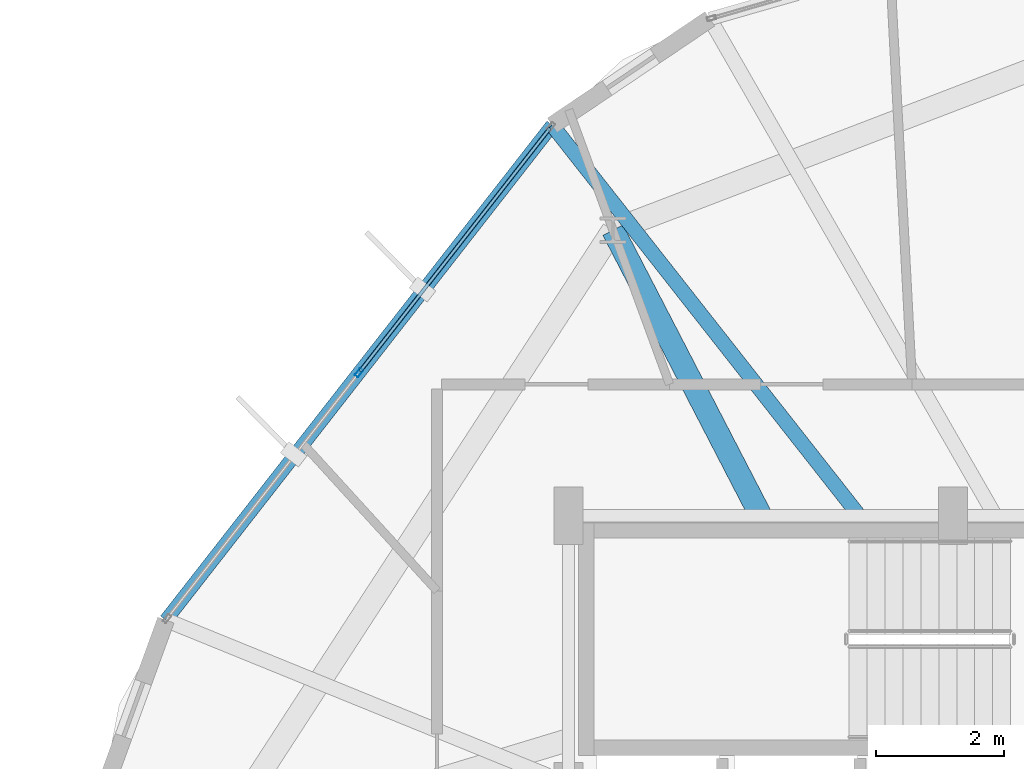
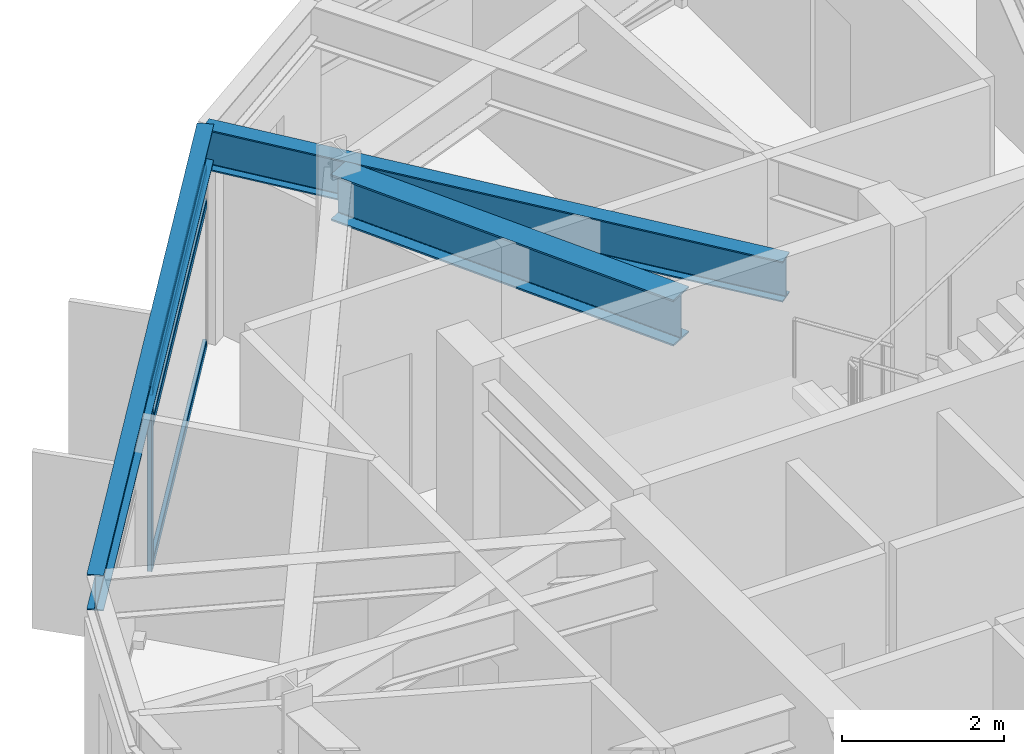
# One storey, part 16 of 30: 4 members, 3 beams, 1 element without a shape of its own.
"""IFC4 building model written with IfcOpenShell, lengths in metres."""

from ifc_helpers import new_model, si_unit, direction, frame, origin, origin_2d, place, context, subcontext, project, spatial, hollow_rectangle, i_section, extrude, material, layer, layer_set, material_profile, profile_set, type_object, element, aggregate, save


model = new_model("IFC4")

# Units and contexts
model_context = context("Model", 3, precision=1e-05, world=origin(), true_north=direction((0.0, 1.0)))
body_context = subcontext(model_context, "Body", "Model", "MODEL_VIEW")
ifc_project = project(units=[si_unit("LENGTHUNIT", "METRE"), si_unit("AREAUNIT", "SQUARE_METRE"), si_unit("VOLUMEUNIT", "CUBIC_METRE"), si_unit("PLANEANGLEUNIT", "RADIAN"), si_unit("MASSUNIT", "GRAM", prefix="KILO")], contexts=[model_context])

# Site, building, storey
site_placement = place(None, origin())
site = spatial("IfcSite", under=ifc_project, at=site_placement, CompositionType="ELEMENT")
building_placement = place(site_placement, origin())
building = spatial("IfcBuilding", under=site, at=building_placement, Name="Soratama Intermodal Tower", CompositionType="ELEMENT")
storey_placement = place(building_placement, frame((0.0, 0.0, 223.0)))
storey = spatial("IfcBuildingStorey", under=building, at=storey_placement, Name="L56", CompositionType="ELEMENT", Elevation=223.0)

# Beams
ifc_material_1 = material(Name="Structural steel ASTM A992 Grade 50", Category="steel")
ifc_material_profile_1 = material_profile(ifc_material_1, i_section(OverallWidth=0.35498046875, OverallDepth=0.695068359375, WebThickness=0.015380859375, FlangeThickness=0.02490234375, FilletRadius=0.01611328125, at=origin_2d()), Name="W27X146")
ifc_profile_set_1 = profile_set([ifc_material_profile_1], Name="Structural steel ASTM A992 Grade 50")
beam_type_1 = type_object("IfcBeamType", Name="BM-RING-W27X146", PredefinedType="BEAM", material=ifc_profile_set_1)
beam_1_placement = place(storey_placement, frame((35.60009765625, 35.0, 2.952392578125), z_axis=(-0.459552673174, 0.888150516849, 0.0), x_axis=(-0.888150516849, -0.459552673174, 0.0)))
element("IfcBeam", 1, at=beam_1_placement, inside=storey, type_object=beam_type_1, Name="BM-L56-RAD-04", PredefinedType="BEAM", context=body_context, shape_type="SweptSolid", body=[
    extrude(i_section(OverallWidth=0.35498046875, OverallDepth=0.695068359375, WebThickness=0.015380859375, FlangeThickness=0.02490234375, FilletRadius=0.01611328125, at=origin_2d()), origin(), (0.0, 0.0, 1.0), 5.01611328125),
])
ifc_material_2 = material(Name="Structural steel ASTM A992 Grade 50", Category="steel")
ifc_material_profile_2 = material_profile(ifc_material_2, i_section(OverallWidth=0.2099609375, OverallDepth=0.537109375, WebThickness=0.010986328125, FlangeThickness=0.017333984375, FilletRadius=0.012939453125, at=origin_2d()), Name="W21X68")
ifc_profile_set_2 = profile_set([ifc_material_profile_2], Name="Structural steel ASTM A992 Grade 50")
beam_type_2 = type_object("IfcBeamType", Name="BM-SPN-W21X68", PredefinedType="SPANDREL", material=ifc_profile_set_2)
beam_2_placement = place(storey_placement, frame((32.346923828125, 41.093017578125, 3.031494140625), z_axis=(-0.615393987001, -0.788219665298, 0.0), x_axis=(0.788219665298, -0.615393987001, 0.0)))
element("IfcBeam", 2, at=beam_2_placement, inside=storey, type_object=beam_type_2, Name="BS-L56-F03", PredefinedType="SPANDREL", context=body_context, shape_type="SweptSolid", body=[
    extrude(i_section(OverallWidth=0.2099609375, OverallDepth=0.537109375, WebThickness=0.010986328125, FlangeThickness=0.017333984375, FilletRadius=0.012939453125, at=origin_2d()), origin(), (0.0, 0.0, 1.0), 9.796630859375),
])
ifc_material_3 = material(Name="Structural steel ASTM A992 Grade 50", Category="steel")
ifc_material_profile_3 = material_profile(ifc_material_3, i_section(OverallWidth=0.22900390625, OverallDepth=0.612060546875, WebThickness=0.011962890625, FlangeThickness=0.01953125, FilletRadius=0.012939453125, at=origin_2d()), Name="W24X84")
ifc_profile_set_3 = profile_set([ifc_material_profile_3], Name="Structural steel ASTM A992 Grade 50")
beam_type_3 = type_object("IfcBeamType", Name="BM-TIE-W24X84", PredefinedType="BEAM", material=ifc_profile_set_3)
beam_3_placement = place(storey_placement, frame((37.113037109375, 35.031005859375, 2.993896484375), z_axis=(-0.618070408101, 0.786122745269, 0.0), x_axis=(-0.786122745269, -0.618070408101, 0.0)))
element("IfcBeam", 3, at=beam_3_placement, inside=storey, type_object=beam_type_3, Name="BM-L56-TIE0-03", PredefinedType="BEAM", context=body_context, shape_type="SweptSolid", body=[
    extrude(i_section(OverallWidth=0.22900390625, OverallDepth=0.612060546875, WebThickness=0.011962890625, FlangeThickness=0.01953125, FilletRadius=0.012939453125, at=origin_2d()), origin(), (0.0, 0.0, 1.0), 7.711181640625),
])

# Curtain wall, members
ifc_material_4 = material(Name="Double-glazed aluminium curtain wall", Category="aluminium")
ifc_layer = layer(ifc_material_4, 0.159912109375)
ifc_layer_set = layer_set([ifc_layer], Name="Double-glazed aluminium curtain wall")
curtain_wall_type = type_object("IfcCurtainWallType", Name="CW-SYS-5", PredefinedType="NOTDEFINED", material=ifc_layer_set)
curtain_wall_placement = place(storey_placement, origin())
curtain_wall = element("IfcCurtainWall", 4, at=curtain_wall_placement, inside=storey, type_object=curtain_wall_type, Name="L56 Faceted Curtain Wall F03", PredefinedType="NOTDEFINED")
ifc_material_5 = material(Name="Anodised aluminium AA 6063-T6", Category="aluminium")
ifc_material_profile_4 = material_profile(ifc_material_5, hollow_rectangle(XDim=0.06494140625, YDim=0.139892578125, WallThickness=0.0048828125, InnerFilletRadius=0.0048828125, OuterFilletRadius=0.010009765625, at=origin_2d()), Name="CWM140X65X5")
ifc_profile_set_4 = profile_set([ifc_material_profile_4], Name="Anodised aluminium AA 6063-T6")
member_type_1 = type_object("IfcMemberType", Name="MT-CWM-5", PredefinedType="MULLION", material=ifc_profile_set_4)
member_1_placement = place(storey_placement, frame((29.33251953125, 37.232177734375, 0.0), z_axis=(0.0, 0.0, 1.0), x_axis=(0.788224252464, -0.615388111542, 0.0)))
member_1 = element("IfcMember", 5, at=member_1_placement, type_object=member_type_1, Name="CW-5 mullion 2", PredefinedType="MULLION", context=body_context, shape_type="SweptSolid", body=[
    extrude(hollow_rectangle(XDim=0.06494140625, YDim=0.139892578125, WallThickness=0.0048828125, InnerFilletRadius=0.0048828125, OuterFilletRadius=0.010009765625, at=origin_2d()), origin(), (0.0, 0.0, 1.0), 2.678955078125),
])
ifc_material_6 = material(Name="Anodised aluminium AA 6063-T6", Category="aluminium")
ifc_material_profile_5 = material_profile(ifc_material_6, hollow_rectangle(XDim=0.06005859375, YDim=0.1298828125, WallThickness=0.0048828125, InnerFilletRadius=0.0048828125, OuterFilletRadius=0.010009765625, at=origin_2d()), Name="CWT130X60X5")
ifc_profile_set_5 = profile_set([ifc_material_profile_5], Name="Anodised aluminium AA 6063-T6")
member_type_2 = type_object("IfcMemberType", Name="TT-CWT-2", PredefinedType="USERDEFINED", material=ifc_profile_set_5)
member_2_placement = place(storey_placement, frame((32.31005859375, 41.046142578125, 0.030029296875), z_axis=(-0.615394743949, -0.788219074318, 0.0), x_axis=(0.788219074318, -0.615394743949, 0.0)))
member_2 = element("IfcMember", 6, at=member_2_placement, type_object=member_type_2, Name="CW-5 transom 1.1", ObjectType="TRANSOM", PredefinedType="USERDEFINED", context=body_context, shape_type="SweptSolid", body=[
    extrude(hollow_rectangle(XDim=0.06005859375, YDim=0.1298828125, WallThickness=0.0048828125, InnerFilletRadius=0.0048828125, OuterFilletRadius=0.010009765625, at=origin_2d()), origin(), (0.0, 0.0, 1.0), 4.80859375),
])
member_3_placement = place(storey_placement, frame((32.31005859375, 41.046142578125, 2.14990234375), z_axis=(-0.615394743949, -0.788219074318, 0.0), x_axis=(0.788219074318, -0.615394743949, 0.0)))
member_3 = element("IfcMember", 7, at=member_3_placement, type_object=member_type_2, Name="CW-5 transom 1.2", ObjectType="TRANSOM", PredefinedType="USERDEFINED", context=body_context, shape_type="SweptSolid", body=[
    extrude(hollow_rectangle(XDim=0.06005859375, YDim=0.1298828125, WallThickness=0.0048828125, InnerFilletRadius=0.0048828125, OuterFilletRadius=0.010009765625, at=origin_2d()), origin(), (0.0, 0.0, 1.0), 4.80859375),
])
member_4_placement = place(storey_placement, frame((32.31005859375, 41.046142578125, 2.64892578125), z_axis=(-0.615394743949, -0.788219074318, 0.0), x_axis=(0.788219074318, -0.615394743949, 0.0)))
member_4 = element("IfcMember", 8, at=member_4_placement, type_object=member_type_2, Name="CW-5 transom 1.3", ObjectType="TRANSOM", PredefinedType="USERDEFINED", context=body_context, shape_type="SweptSolid", body=[
    extrude(hollow_rectangle(XDim=0.06005859375, YDim=0.1298828125, WallThickness=0.0048828125, InnerFilletRadius=0.0048828125, OuterFilletRadius=0.010009765625, at=origin_2d()), origin(), (0.0, 0.0, 1.0), 4.80859375),
])
aggregate(curtain_wall, [member_1, member_2, member_3, member_4])

save(model, "model.ifc")
